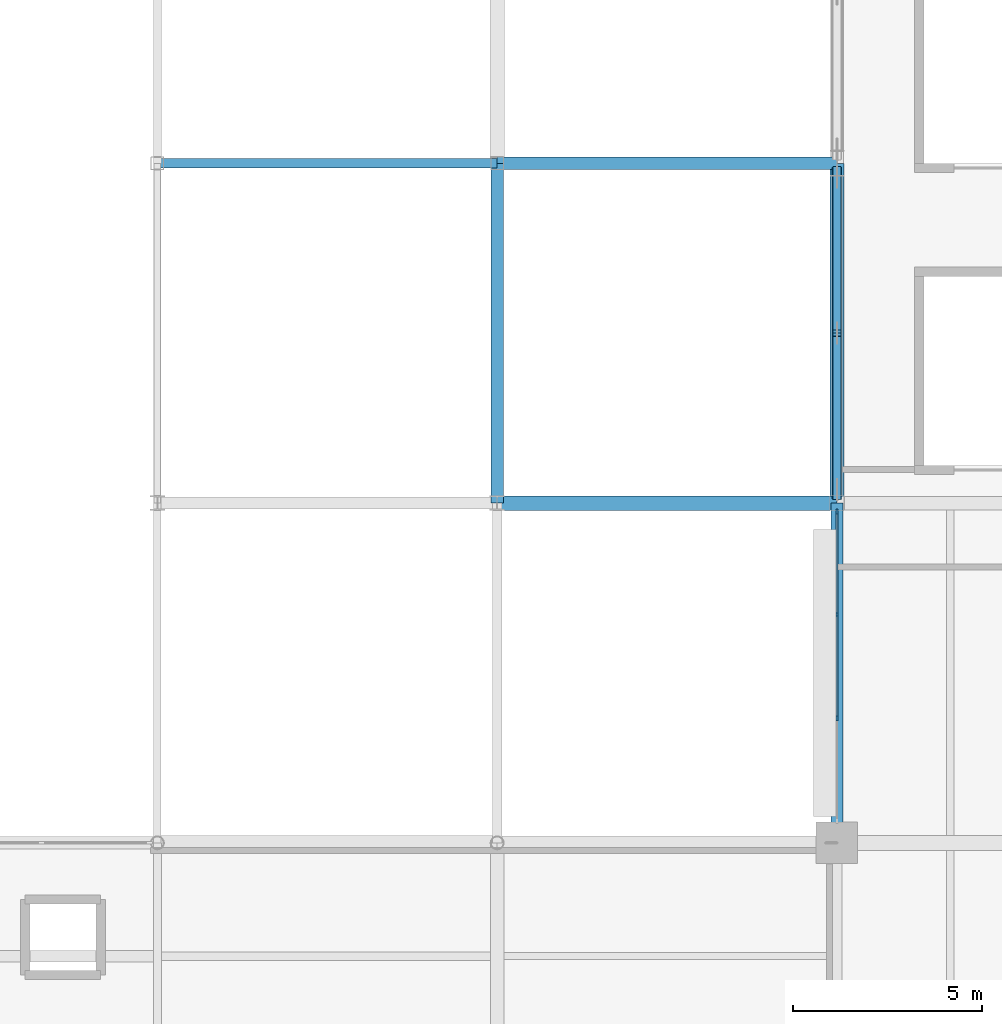
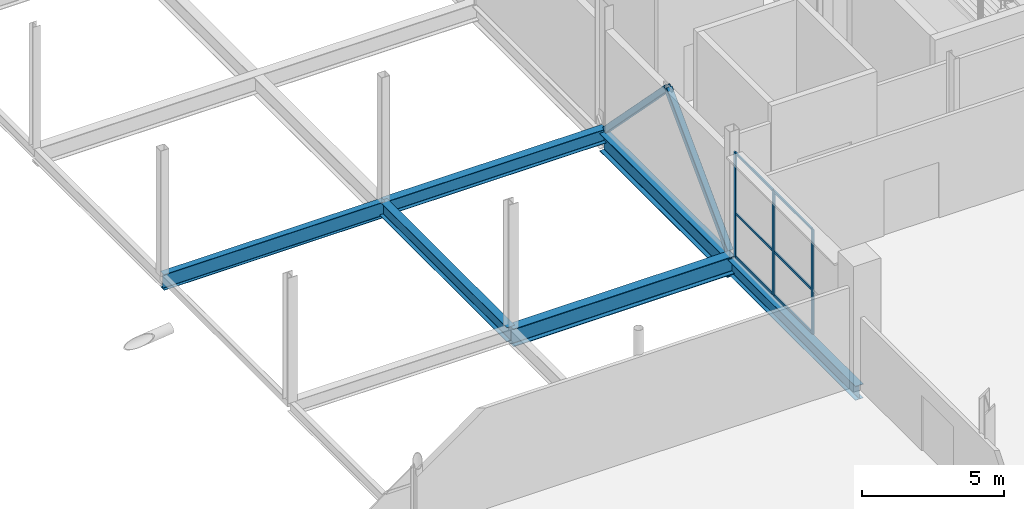
# One storey, part 49 of 119: 11 members, 6 beams, 1 element without a shape of its own.
"""IFC4 building model written with IfcOpenShell, lengths in metres."""

from ifc_helpers import new_model, si_unit, direction, frame, origin, origin_2d, place, context, subcontext, project, spatial, rectangle, hollow_rectangle, i_section, extrude, material, layer, layer_set, material_profile, profile_set, type_object, element, aggregate, save


model = new_model("IFC4")

# Units and contexts
model_context = context("Model", 3, precision=1e-05, world=origin(), true_north=direction((0.0, 1.0)))
body_context = subcontext(model_context, "Body", "Model", "MODEL_VIEW")
ifc_project = project(units=[si_unit("LENGTHUNIT", "METRE"), si_unit("AREAUNIT", "SQUARE_METRE"), si_unit("VOLUMEUNIT", "CUBIC_METRE"), si_unit("PLANEANGLEUNIT", "RADIAN"), si_unit("MASSUNIT", "GRAM", prefix="KILO")], contexts=[model_context])

# Site, building, storey
site_placement = place(None, origin())
site = spatial("IfcSite", under=ifc_project, at=site_placement, CompositionType="ELEMENT")
building_placement = place(site_placement, origin())
building = spatial("IfcBuilding", under=site, at=building_placement, Name="Qamarlyn Nura Convention Centre", CompositionType="ELEMENT")
storey_placement = place(building_placement, frame((0.0, 0.0, 5.39990234375)))
storey = spatial("IfcBuildingStorey", under=building, at=storey_placement, Name="L01", CompositionType="ELEMENT", Elevation=5.39990234375)

# Beams
ifc_material_1 = material(Name="Steel ASTM A992", Category="steel")
ifc_material_profile_1 = material_profile(ifc_material_1, i_section(OverallWidth=0.323974609375, OverallDepth=0.611083984375, WebThickness=0.0126953125, FlangeThickness=0.01904296875, FilletRadius=0.01611328125, at=origin_2d()), Name="W610X155")
ifc_profile_set_1 = profile_set([ifc_material_profile_1], Name="Steel ASTM A992")
beam_type_1 = type_object("IfcBeamType", Name="BM-GIRD-610", PredefinedType="BEAM", material=ifc_profile_set_1)
for number, where, z_axis, x_axis, name in (
    (1, (144.0, 63.0, -0.305419921875), (1.0, 0.0, 0.0), (0.0, 1.0, 0.0), "L01 girder H 12-13"),
    (2, (144.0, 54.0, -0.305419921875), (0.0, 1.0, 0.0), (-1.0, 0.0, 0.0), "L01 girder 12 G-H"),
    (3, (153.0, 45.0, -0.525390625), (0.0, 1.0, 0.0), (-1.0, 0.0, 0.0), "L01 girder 13 F-G"),
):
    element("IfcBeam", number, at=place(storey_placement, frame(where, z_axis=z_axis, x_axis=x_axis)), inside=storey, type_object=beam_type_1, Name=name, PredefinedType="BEAM", context=body_context, shape_type="SweptSolid", body=[
        extrude(i_section(OverallWidth=0.323974609375, OverallDepth=0.611083984375, WebThickness=0.0126953125, FlangeThickness=0.01904296875, FilletRadius=0.01611328125, at=origin_2d()), origin(), (0.0, 0.0, 1.0), 9.0),
    ])
ifc_material_profile_2 = material_profile(ifc_material_1, i_section(OverallWidth=0.25390625, OverallDepth=0.68408203125, WebThickness=0.012451171875, FlangeThickness=0.01904296875, FilletRadius=0.01806640625, at=origin_2d()), Name="W690X140")
ifc_profile_set_2 = profile_set([ifc_material_profile_2], Name="Steel ASTM A992")
beam_type_2 = type_object("IfcBeamType", Name="BM-GIRD-690B", PredefinedType="BEAM", material=ifc_profile_set_2)
beam_placement = place(storey_placement, frame((135.0, 63.0, -0.341796875), z_axis=(1.0, 0.0, 0.0), x_axis=(0.0, 1.0, 0.0)))
element("IfcBeam", 4, at=beam_placement, inside=storey, type_object=beam_type_2, Name="L01 girder H 11-12", PredefinedType="BEAM", context=body_context, shape_type="SweptSolid", body=[
    extrude(i_section(OverallWidth=0.25390625, OverallDepth=0.68408203125, WebThickness=0.012451171875, FlangeThickness=0.01904296875, FilletRadius=0.01806640625, at=origin_2d()), origin(), (0.0, 0.0, 1.0), 9.0),
])
ifc_material_profile_3 = material_profile(ifc_material_1, i_section(OverallWidth=0.381103515625, OverallDepth=0.77294921875, WebThickness=0.0166015625, FlangeThickness=0.027587890625, FilletRadius=0.02001953125, at=origin_2d()), Name="W760X257")
ifc_profile_set_3 = profile_set([ifc_material_profile_3], Name="Steel ASTM A992")
beam_type_3 = type_object("IfcBeamType", Name="BM-GIRD-760", PredefinedType="BEAM", material=ifc_profile_set_3)
for number, where, z_axis, x_axis, name in (
    (5, (144.0, 54.0, -0.386474609375), (1.0, 0.0, 0.0), (0.0, 1.0, 0.0), "L01 girder G 12-13"),
    (6, (153.0, 54.0, -0.6064453125), (0.0, 1.0, 0.0), (-1.0, 0.0, 0.0), "L01 girder 13 G-H"),
):
    element("IfcBeam", number, at=place(storey_placement, frame(where, z_axis=z_axis, x_axis=x_axis)), inside=storey, type_object=beam_type_3, Name=name, PredefinedType="BEAM", context=body_context, shape_type="SweptSolid", body=[
        extrude(i_section(OverallWidth=0.381103515625, OverallDepth=0.77294921875, WebThickness=0.0166015625, FlangeThickness=0.027587890625, FilletRadius=0.02001953125, at=origin_2d()), origin(), (0.0, 0.0, 1.0), 9.0),
    ])

# Members
ifc_material_2 = material(Name="Steel ASTM A500 Grade C", Category="steel")
ifc_material_profile_4 = material_profile(ifc_material_2, hollow_rectangle(XDim=0.25, YDim=0.25, WallThickness=0.012451171875, InnerFilletRadius=0.012451171875, OuterFilletRadius=0.02490234375, at=origin_2d()), Name="HSS250X250X12.5")
ifc_profile_set_4 = profile_set([ifc_material_profile_4], Name="Steel ASTM A500 Grade C")
member_type_1 = type_object("IfcMemberType", Name="CBF-BRC-250", PredefinedType="BRACE", material=ifc_profile_set_4)
for number, where, z_axis, x_axis, name in (
    (7, (153.0, 54.179931640625, 0.0), (0.0, 0.700029878955, 0.714113554395), (-1.0, 0.0, 0.0), "L01 SCBF chevron brace CBF-E3L"),
    (8, (153.0, 62.820068359375, 0.0), (0.0, -0.700029878955, 0.714113554395), (1.0, 0.0, 0.0), "L01 SCBF chevron brace CBF-E3R"),
):
    element("IfcMember", number, at=place(storey_placement, frame(where, z_axis=z_axis, x_axis=x_axis)), inside=storey, type_object=member_type_1, Name=name, PredefinedType="BRACE", context=body_context, shape_type="SweptSolid", body=[
        extrude(hollow_rectangle(XDim=0.25, YDim=0.25, WallThickness=0.012451171875, InnerFilletRadius=0.012451171875, OuterFilletRadius=0.02490234375, at=origin_2d()), origin(), (0.0, 0.0, 1.0), 6.171142578125),
    ])

# Curtain wall, members
ifc_material_3 = material(Name="Double-silver low-E insulated glass", Category="glass")
ifc_layer = layer(ifc_material_3, 0.179931640625, Name="CW-UNIT-82")
ifc_layer_set = layer_set([ifc_layer], Name="Double-silver low-E insulated glass")
curtain_wall_type = type_object("IfcCurtainWallType", Name="CW-UNIT-82", PredefinedType="NOTDEFINED", material=ifc_layer_set)
curtain_wall_placement = place(storey_placement, origin())
curtain_wall = element("IfcCurtainWall", 9, at=curtain_wall_placement, inside=storey, type_object=curtain_wall_type, Name="L01 unitised curtain wall CRT-45-1", PredefinedType="NOTDEFINED")
ifc_material_4 = material(Name="Champagne-anodised marine aluminium", Category="aluminium")
ifc_material_profile_5 = material_profile(ifc_material_4, rectangle(XDim=0.06005859375, YDim=0.139892578125, at=origin_2d()), Name="ALU MULLION 60x140")
ifc_profile_set_5 = profile_set([ifc_material_profile_5], Name="Champagne-anodised marine aluminium")
member_type_2 = type_object("IfcMemberType", Name="CWM-140", PredefinedType="MULLION", material=ifc_profile_set_5)
member_1_placement = place(storey_placement, frame((153.0, 48.300048828125, 0.0), z_axis=(0.0, 0.0, 1.0), x_axis=(-1.0, 0.0, 0.0)))
member_1 = element("IfcMember", 10, at=member_1_placement, type_object=member_type_2, Name="CW82 mullion 2", PredefinedType="MULLION", context=body_context, shape_type="SweptSolid", body=[
    extrude(rectangle(XDim=0.06005859375, YDim=0.139892578125, at=origin_2d()), origin(), (0.0, 0.0, 1.0), 4.51416015625),
])
member_2_placement = place(storey_placement, frame((153.0, 51.050048828125, 0.0), z_axis=(0.0, 0.0, 1.0), x_axis=(-1.0, 0.0, 0.0)))
member_2 = element("IfcMember", 11, at=member_2_placement, type_object=member_type_2, Name="CW82 mullion 3", PredefinedType="MULLION", context=body_context, shape_type="SweptSolid", body=[
    extrude(rectangle(XDim=0.06005859375, YDim=0.139892578125, at=origin_2d()), origin(), (0.0, 0.0, 1.0), 4.51416015625),
])
member_3_placement = place(storey_placement, frame((153.0, 53.77001953125, 0.0), z_axis=(0.0, 0.0, 1.0), x_axis=(-1.0, 0.0, 0.0)))
member_3 = element("IfcMember", 12, at=member_3_placement, type_object=member_type_2, Name="CW82 mullion 4", PredefinedType="MULLION", context=body_context, shape_type="SweptSolid", body=[
    extrude(rectangle(XDim=0.06005859375, YDim=0.139892578125, at=origin_2d()), origin(), (0.0, 0.0, 1.0), 4.51416015625),
])
ifc_material_profile_6 = material_profile(ifc_material_4, rectangle(XDim=0.06005859375, YDim=0.10009765625, at=origin_2d()), Name="ALU TRANSOM 60x100")
ifc_profile_set_6 = profile_set([ifc_material_profile_6], Name="Champagne-anodised marine aluminium")
member_type_3 = type_object("IfcMemberType", Name="CWT-100", PredefinedType="USERDEFINED", material=ifc_profile_set_6)
member_4_placement = place(storey_placement, frame((153.0, 48.330078125, 0.030029296875), z_axis=(0.0, 1.0, 0.0), x_axis=(-1.0, 0.0, 0.0)))
member_4 = element("IfcMember", 13, at=member_4_placement, type_object=member_type_3, Name="CW82 transom 2.1", ObjectType="TRANSOM", PredefinedType="USERDEFINED", context=body_context, shape_type="SweptSolid", body=[
    extrude(rectangle(XDim=0.06005859375, YDim=0.10009765625, at=origin_2d()), origin(), (0.0, 0.0, 1.0), 2.68994140625),
])
member_5_placement = place(storey_placement, frame((153.0, 48.330078125, 1.89599609375), z_axis=(0.0, 1.0, 0.0), x_axis=(-1.0, 0.0, 0.0)))
member_5 = element("IfcMember", 14, at=member_5_placement, type_object=member_type_3, Name="CW82 transom 2.2", ObjectType="TRANSOM", PredefinedType="USERDEFINED", context=body_context, shape_type="SweptSolid", body=[
    extrude(rectangle(XDim=0.06005859375, YDim=0.10009765625, at=origin_2d()), origin(), (0.0, 0.0, 1.0), 2.68994140625),
])
member_6_placement = place(storey_placement, frame((153.0, 48.330078125, 4.484130859375), z_axis=(0.0, 1.0, 0.0), x_axis=(-1.0, 0.0, 0.0)))
member_6 = element("IfcMember", 15, at=member_6_placement, type_object=member_type_3, Name="CW82 transom 2.3", ObjectType="TRANSOM", PredefinedType="USERDEFINED", context=body_context, shape_type="SweptSolid", body=[
    extrude(rectangle(XDim=0.06005859375, YDim=0.10009765625, at=origin_2d()), origin(), (0.0, 0.0, 1.0), 2.68994140625),
])
member_7_placement = place(storey_placement, frame((153.0, 51.080078125, 0.030029296875), z_axis=(0.0, 1.0, 0.0), x_axis=(-1.0, 0.0, 0.0)))
member_7 = element("IfcMember", 16, at=member_7_placement, type_object=member_type_3, Name="CW82 transom 3.1", ObjectType="TRANSOM", PredefinedType="USERDEFINED", context=body_context, shape_type="SweptSolid", body=[
    extrude(rectangle(XDim=0.06005859375, YDim=0.10009765625, at=origin_2d()), origin(), (0.0, 0.0, 1.0), 2.659912109375),
])
member_8_placement = place(storey_placement, frame((153.0, 51.080078125, 1.89599609375), z_axis=(0.0, 1.0, 0.0), x_axis=(-1.0, 0.0, 0.0)))
member_8 = element("IfcMember", 17, at=member_8_placement, type_object=member_type_3, Name="CW82 transom 3.2", ObjectType="TRANSOM", PredefinedType="USERDEFINED", context=body_context, shape_type="SweptSolid", body=[
    extrude(rectangle(XDim=0.06005859375, YDim=0.10009765625, at=origin_2d()), origin(), (0.0, 0.0, 1.0), 2.659912109375),
])
member_9_placement = place(storey_placement, frame((153.0, 51.080078125, 4.484130859375), z_axis=(0.0, 1.0, 0.0), x_axis=(-1.0, 0.0, 0.0)))
member_9 = element("IfcMember", 18, at=member_9_placement, type_object=member_type_3, Name="CW82 transom 3.3", ObjectType="TRANSOM", PredefinedType="USERDEFINED", context=body_context, shape_type="SweptSolid", body=[
    extrude(rectangle(XDim=0.06005859375, YDim=0.10009765625, at=origin_2d()), origin(), (0.0, 0.0, 1.0), 2.659912109375),
])
aggregate(curtain_wall, [member_1, member_2, member_3, member_4, member_5, member_6, member_7, member_8, member_9])

save(model, "model.ifc")
